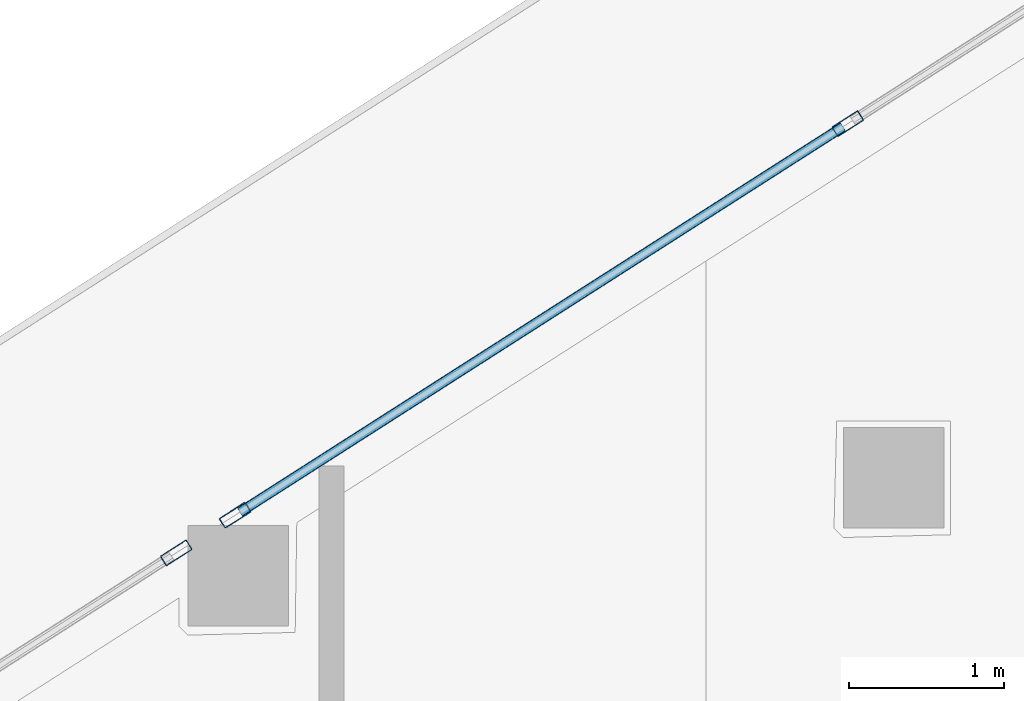
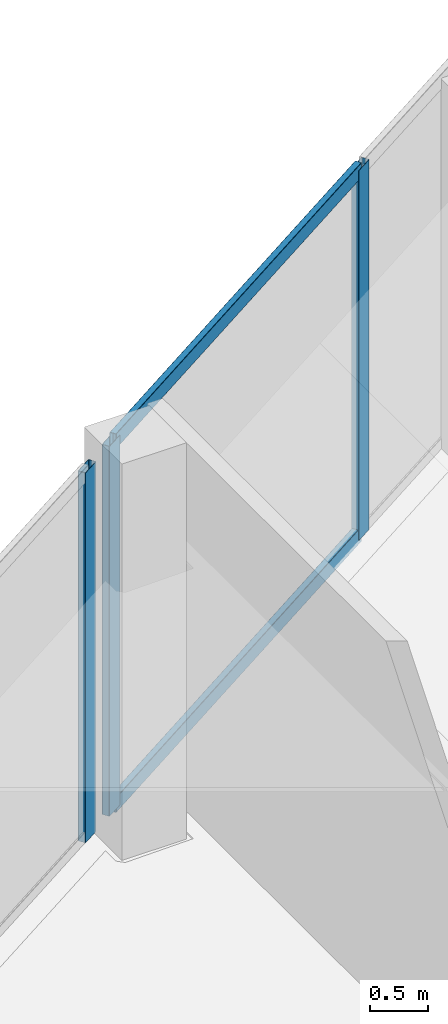
# One storey, part 18 of 47: 5 members, 2 elements without a shape of their own.
"""IFC4 building model written with IfcOpenShell, lengths in metres."""

import ifcopenshell
import ifcopenshell.guid

model = None  # the IFC model being written
_history = None  # IfcOwnerHistory: only IFC2X3 demands one
_inside = {}  # id of a spatial element -> (the spatial element, [elements in it])
_under = {}  # id of a project, library or spatial element -> (it, [spatial elements below it])
_declared = {}  # id of a project -> (the project, [libraries it declares])
_typed = {}  # id of a type object -> (the type object, [elements of that type])
_made_of = {}  # id of a material, layer set ... -> (it, [elements and type objects made of it])


def new_model(schema):
    """Start an empty IFC model of exactly this schema.

    Asked for "IFC4X3", IfcOpenShell would pick the latest addendum, in which some entities
    have other attributes; the version numbers below select the first issue.
    IFC2X3 requires an IfcOwnerHistory on every rooted entity: one is made here for all.
    """
    global model, _history
    if schema == "IFC4X3":
        model = ifcopenshell.file(schema_version=(4, 3, 0, 0))
    else:
        model = ifcopenshell.file(schema=schema)
    _inside.clear()
    _under.clear()
    _declared.clear()
    _typed.clear()
    _made_of.clear()
    _history = None
    if model.schema == "IFC2X3":
        org = make("IfcOrganization", Name="unknown")
        user = make(
            "IfcPersonAndOrganization",
            ThePerson=make("IfcPerson", FamilyName="unknown"),
            TheOrganization=org,
        )
        app = make(
            "IfcApplication",
            ApplicationDeveloper=org,
            Version="unknown",
            ApplicationFullName="unknown",
            ApplicationIdentifier="unknown",
        )
        _history = make(
            "IfcOwnerHistory",
            OwningUser=user,
            OwningApplication=app,
            ChangeAction="ADDED",
            CreationDate=0,
        )
    return model


def make(cls, **values):
    """One entity of the class cls with the attributes given. An attribute that is None is left unset."""
    return model.create_entity(
        cls, **{name: value for name, value in values.items() if value is not None}
    )


def rooted(cls, **values):
    """An entity with a GlobalId (a new one), such as an element, a storey or a relation."""
    return make(cls, GlobalId=ifcopenshell.guid.new(), OwnerHistory=_history, **values)


def si_unit(unit_type, name, prefix=None):
    """IfcSIUnit, for example si_unit("LENGTHUNIT", "METRE", prefix="MILLI")."""
    return make("IfcSIUnit", UnitType=unit_type, Prefix=prefix, Name=name)


def assignment(units):
    """IfcUnitAssignment: the units of a project."""
    return None if units is None else make("IfcUnitAssignment", Units=units)


def point(xyz):
    """IfcCartesianPoint."""
    return None if xyz is None else make("IfcCartesianPoint", Coordinates=xyz)


def direction(xyz):
    """IfcDirection."""
    return None if xyz is None else make("IfcDirection", DirectionRatios=xyz)


def frame(location, z_axis=None, x_axis=None):
    """IfcAxis2Placement3D, a coordinate frame: its origin and axes. An axis left out is left unset."""
    return make(
        "IfcAxis2Placement3D",
        Location=point(location),
        Axis=direction(z_axis),
        RefDirection=direction(x_axis),
    )


def frame_2d(location, x_axis=None):
    """IfcAxis2Placement2D, a coordinate frame in the plane: its origin and x axis."""
    return make(
        "IfcAxis2Placement2D", Location=point(location), RefDirection=direction(x_axis)
    )


def origin():
    """The frame at (0, 0, 0) with its axes left unset."""
    return frame((0.0, 0.0, 0.0))


def origin_2d():
    """The frame at (0, 0) in the plane with its x axis left unset."""
    return frame_2d((0.0, 0.0))


def place(relative_to, where):
    """IfcLocalPlacement: puts the frame where relative to a parent placement (None: the world)."""
    return make(
        "IfcLocalPlacement", PlacementRelTo=relative_to, RelativePlacement=where
    )


def context(
    kind, dimensions, precision=None, world=None, true_north=None, identifier=None
):
    """IfcGeometricRepresentationContext, for example the 3D "Model" context."""
    return make(
        "IfcGeometricRepresentationContext",
        ContextIdentifier=identifier,
        ContextType=kind,
        CoordinateSpaceDimension=dimensions,
        Precision=precision,
        WorldCoordinateSystem=world,
        TrueNorth=true_north,
    )


def subcontext(parent, identifier, kind, view, scale=None):
    """IfcGeometricRepresentationSubContext, for example "Body" below "Model"."""
    return make(
        "IfcGeometricRepresentationSubContext",
        ContextIdentifier=identifier,
        ContextType=kind,
        ParentContext=parent,
        TargetScale=scale,
        TargetView=view,
    )


def project(units=None, contexts=None):
    """IfcProject with its units and contexts."""
    return rooted(
        "IfcProject",
        Name="project",
        RepresentationContexts=contexts,
        UnitsInContext=assignment(units),
    )


def spatial(cls, under=None, at=None, **own):
    """A site, building, storey or space (cls), placed at a placement, below another one or the project."""
    s = rooted(cls, ObjectPlacement=at, **own)
    if under is not None:
        _under.setdefault(under.id(), (under, []))[1].append(s)
    return s


def profile(cls, at=None, kind="AREA", **sizes):
    """A parametric profile (cls). Its sizes go by their IFC names, for example OverallWidth=200.0."""
    return make(cls, ProfileType=kind, Position=at, **sizes)


def hollow_rectangle(**sizes):
    """IfcRectangleHollowProfileDef."""
    return profile("IfcRectangleHollowProfileDef", **sizes)


def extrude(swept, where, along, depth):
    """IfcExtrudedAreaSolid: the profile swept, set in the frame where, extruded along a direction by depth."""
    return make(
        "IfcExtrudedAreaSolid",
        SweptArea=swept,
        Position=where,
        ExtrudedDirection=direction(along),
        Depth=depth,
    )


def shape(context_of_items, identifier, shape_type, items):
    """IfcShapeRepresentation: the items that make up one representation, for example the "Body"."""
    return make(
        "IfcShapeRepresentation",
        ContextOfItems=context_of_items,
        RepresentationIdentifier=identifier,
        RepresentationType=shape_type,
        Items=items,
    )


def material(Name=None, Category=None):
    """IfcMaterial."""
    return make("IfcMaterial", Name=Name, Category=Category)


def layer(
    of_material, thickness, ventilated=None, Name=None, Category=None, Priority=None
):
    """IfcMaterialLayer: one layer of a wall or slab, of a material (None: an air gap)."""
    return make(
        "IfcMaterialLayer",
        Material=of_material,
        LayerThickness=thickness,
        IsVentilated=ventilated,
        Name=Name,
        Category=Category,
        Priority=Priority,
    )


def layer_set(layers, Name=None):
    """IfcMaterialLayerSet."""
    return make("IfcMaterialLayerSet", MaterialLayers=layers, LayerSetName=Name)


def material_profile(
    of_material, cross_section, Name=None, Category=None, Priority=None
):
    """IfcMaterialProfile: a cross section and its material."""
    return make(
        "IfcMaterialProfile",
        Name=Name,
        Material=of_material,
        Profile=cross_section,
        Priority=Priority,
        Category=Category,
    )


def profile_set(profiles, Name=None, composite=None):
    """IfcMaterialProfileSet."""
    return make(
        "IfcMaterialProfileSet",
        Name=Name,
        MaterialProfiles=profiles,
        CompositeProfile=composite,
    )


def made_of(thing, what):
    """Note that an element or type object is made of a material, layer set ...; save() writes the relation."""
    if what is not None:
        _made_of.setdefault(what.id(), (what, []))[1].append(thing)
    return thing


def type_object(cls, material=None, **own):
    """A type object (cls), such as IfcWallType, which elements share."""
    return made_of(rooted(cls, **own), material)


def element(
    cls,
    number,
    at=None,
    inside=None,
    cuts=None,
    type_object=None,
    material=None,
    context=None,
    identifier="Body",
    shape_type=None,
    held_by="IfcProductDefinitionShape",
    body=None,
    shapes=None,
    **own,
):
    """One element of the class cls, such as IfcWall. Its Tag is "e" and its number.

    at: its placement. inside: the storey or other place that contains it. cuts: it is an
    opening in that element (IfcRelVoidsElement). A single representation is given by context,
    identifier, shape_type and body (its items); several are given by shapes. held_by: the class
    of the entity that holds the representations. save() writes the other relations.
    """
    e = rooted(cls, Tag="e%d" % number, ObjectPlacement=at, **own)
    if body is not None:
        shapes = [shape(context, identifier, shape_type, body)]
    if shapes is not None:
        e.Representation = make(held_by, Representations=shapes)
    if inside is not None:
        _inside.setdefault(inside.id(), (inside, []))[1].append(e)
    if cuts is not None:
        rooted(
            "IfcRelVoidsElement", RelatingBuildingElement=cuts, RelatedOpeningElement=e
        )
    if type_object is not None:
        _typed.setdefault(type_object.id(), (type_object, []))[1].append(e)
    return made_of(e, material)


def aggregate(whole, parts):
    """IfcRelAggregates: a whole, such as a stair, and the parts it consists of."""
    return rooted("IfcRelAggregates", RelatingObject=whole, RelatedObjects=parts)


def save(model, path):
    """Write the relations noted so far, then the file.

    IfcRelAggregates (storeys below a building ...), IfcRelContainedInSpatialStructure (elements
    in a storey), IfcRelDefinesByType, IfcRelAssociatesMaterial and IfcRelDeclares: one each for
    every whole, place, type object, material and project.
    """
    for whole, parts in _under.values():
        aggregate(whole, parts)
    for where, things in _inside.values():
        rooted(
            "IfcRelContainedInSpatialStructure",
            RelatedElements=things,
            RelatingStructure=where,
        )
    for kind, things in _typed.values():
        rooted("IfcRelDefinesByType", RelatedObjects=things, RelatingType=kind)
    for what, things in _made_of.values():
        rooted("IfcRelAssociatesMaterial", RelatedObjects=things, RelatingMaterial=what)
    for by, libraries in _declared.values():
        rooted("IfcRelDeclares", RelatingContext=by, RelatedDefinitions=libraries)
    model.write(path)


model = new_model("IFC4")

# Units and contexts
model_context = context("Model", 3, precision=1e-05, world=origin(), true_north=direction((0.0, 1.0)))
body_context = subcontext(model_context, "Body", "Model", "MODEL_VIEW")
ifc_project = project(units=[si_unit("LENGTHUNIT", "METRE"), si_unit("AREAUNIT", "SQUARE_METRE"), si_unit("VOLUMEUNIT", "CUBIC_METRE"), si_unit("PLANEANGLEUNIT", "RADIAN"), si_unit("MASSUNIT", "GRAM", prefix="KILO")], contexts=[model_context])

# Site, building, storey
site_placement = place(None, origin())
site = spatial("IfcSite", under=ifc_project, at=site_placement, CompositionType="ELEMENT")
building_placement = place(site_placement, origin())
building = spatial("IfcBuilding", under=site, at=building_placement, Name="Qorvath Tower", CompositionType="ELEMENT")
storey_placement = place(building_placement, frame((0.0, 0.0, 82.800048828125)))
storey = spatial("IfcBuildingStorey", under=building, at=storey_placement, Name="L18", CompositionType="ELEMENT", Elevation=82.800048828125)

# Curtain wall, members
ifc_material_1 = material(Name="Anodised aluminium and triple low-E glass", Category="aluminium")
ifc_layer = layer(ifc_material_1, 0.179931640625)
ifc_layer_set = layer_set([ifc_layer], Name="CW-SYS-5")
curtain_wall_type = type_object("IfcCurtainWallType", Name="CW-SYS-5", PredefinedType="NOTDEFINED", material=ifc_layer_set)
curtain_wall_1_placement = place(storey_placement, origin())
curtain_wall_1 = element("IfcCurtainWall", 1, at=curtain_wall_1_placement, inside=storey, type_object=curtain_wall_type, Name="Curtain Wall CW-5 CW-T-L18-4.1", PredefinedType="NOTDEFINED")
ifc_material_2 = material(Name="Anodised aluminium 6063-T6", Category="aluminium")
ifc_material_profile_1 = material_profile(ifc_material_2, hollow_rectangle(XDim=0.074951171875, YDim=0.199951171875, WallThickness=0.00390625, InnerFilletRadius=0.00390625, OuterFilletRadius=0.008056640625, at=origin_2d()), Name="CWM 200x75")
ifc_profile_set_1 = profile_set([ifc_material_profile_1], Name="Anodised aluminium 6063-T6")
member_type_1 = type_object("IfcMemberType", Name="CWM-200", PredefinedType="MULLION", material=ifc_profile_set_1)
member_1_placement = place(storey_placement, frame((-31.31201171875, 21.750732421875, 0.0), z_axis=(0.0, 0.0, 1.0), x_axis=(0.538537596882, -0.84260148157, 0.0)))
member_1 = element("IfcMember", 2, at=member_1_placement, type_object=member_type_1, Name="CW-5 mullion 4", PredefinedType="MULLION", context=body_context, shape_type="SweptSolid", body=[
    extrude(hollow_rectangle(XDim=0.074951171875, YDim=0.199951171875, WallThickness=0.00390625, InnerFilletRadius=0.00390625, OuterFilletRadius=0.008056640625, at=origin_2d()), origin(), (0.0, 0.0, 1.0), 3.919921875),
])
member_2_placement = place(storey_placement, frame((-35.2724609375, 19.219482421875, 0.0), z_axis=(0.0, 0.0, 1.0), x_axis=(0.538537596882, -0.84260148157, 0.0)))
member_2 = element("IfcMember", 3, at=member_2_placement, type_object=member_type_1, Name="CW-5 mullion 5", PredefinedType="MULLION", context=body_context, shape_type="SweptSolid", body=[
    extrude(hollow_rectangle(XDim=0.074951171875, YDim=0.199951171875, WallThickness=0.00390625, InnerFilletRadius=0.00390625, OuterFilletRadius=0.008056640625, at=origin_2d()), origin(), (0.0, 0.0, 1.0), 3.919921875),
])

# Curtain wall, member
curtain_wall_2_placement = place(storey_placement, origin())
curtain_wall_2 = element("IfcCurtainWall", 4, at=curtain_wall_2_placement, inside=storey, type_object=curtain_wall_type, Name="Curtain Wall CW-5 CW-T-L18-4.2", PredefinedType="NOTDEFINED")
member_3_placement = place(storey_placement, frame((-35.653076171875, 18.97607421875, 0.0), z_axis=(0.0, 0.0, 1.0), x_axis=(0.538532660261, -0.842604636726, 0.0)))
member_3 = element("IfcMember", 5, at=member_3_placement, type_object=member_type_1, Name="CW-5 mullion 1", PredefinedType="MULLION", context=body_context, shape_type="SweptSolid", body=[
    extrude(hollow_rectangle(XDim=0.074951171875, YDim=0.199951171875, WallThickness=0.00390625, InnerFilletRadius=0.00390625, OuterFilletRadius=0.008056640625, at=origin_2d()), origin(), (0.0, 0.0, 1.0), 3.919921875),
])
aggregate(curtain_wall_2, [member_3])

# Member
ifc_material_3 = material(Name="Anodised aluminium 6063-T6", Category="aluminium")
ifc_material_profile_2 = material_profile(ifc_material_3, hollow_rectangle(XDim=0.06494140625, YDim=0.159912109375, WallThickness=0.00341796875, InnerFilletRadius=0.00341796875, OuterFilletRadius=0.007080078125, at=origin_2d()), Name="CWT 160x65")
ifc_profile_set_2 = profile_set([ifc_material_profile_2], Name="Anodised aluminium 6063-T6")
member_type_2 = type_object("IfcMemberType", Name="CWT-160", PredefinedType="USERDEFINED", material=ifc_profile_set_2)
member_4_placement = place(storey_placement, frame((-31.343505859375, 21.73046875, 0.032470703125), z_axis=(-0.842590473156, -0.538554820373, 0.0), x_axis=(0.538554820373, -0.842590473156, 0.0)))
member_4 = element("IfcMember", 6, at=member_4_placement, type_object=member_type_2, Name="CW-5 transom 4.1", ObjectType="TRANSOM", PredefinedType="USERDEFINED", context=body_context, shape_type="SweptSolid", body=[
    extrude(hollow_rectangle(XDim=0.06494140625, YDim=0.159912109375, WallThickness=0.00341796875, InnerFilletRadius=0.00341796875, OuterFilletRadius=0.007080078125, at=origin_2d()), origin(), (0.0, 0.0, 1.0), 4.625244140625),
])

member_5_placement = place(storey_placement, frame((-31.343505859375, 21.73046875, 3.887451171875), z_axis=(-0.842590473156, -0.538554820373, 0.0), x_axis=(0.538554820373, -0.842590473156, 0.0)))
member_5 = element("IfcMember", 7, at=member_5_placement, type_object=member_type_2, Name="CW-5 transom 4.2", ObjectType="TRANSOM", PredefinedType="USERDEFINED", context=body_context, shape_type="SweptSolid", body=[
    extrude(hollow_rectangle(XDim=0.06494140625, YDim=0.159912109375, WallThickness=0.00341796875, InnerFilletRadius=0.00341796875, OuterFilletRadius=0.007080078125, at=origin_2d()), origin(), (0.0, 0.0, 1.0), 4.625244140625),
])

aggregate(curtain_wall_1, [member_1, member_2, member_4, member_5])

save(model, "model.ifc")
